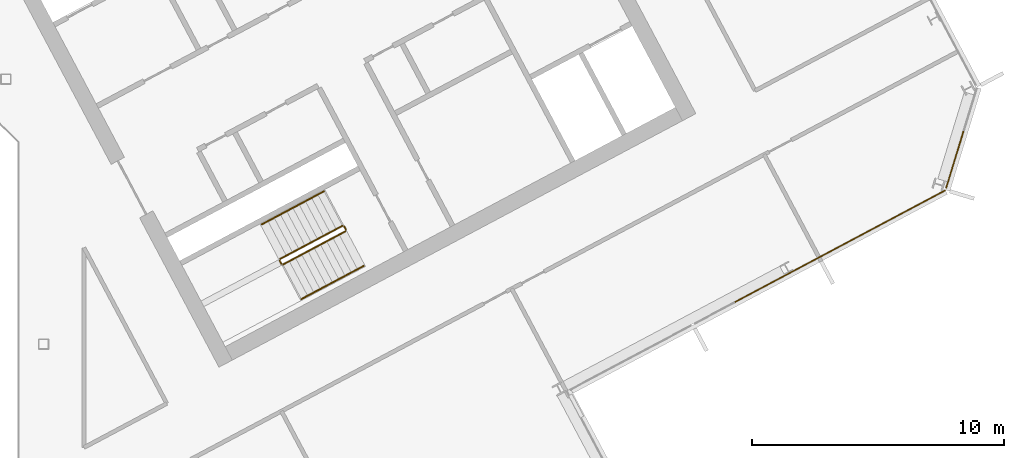
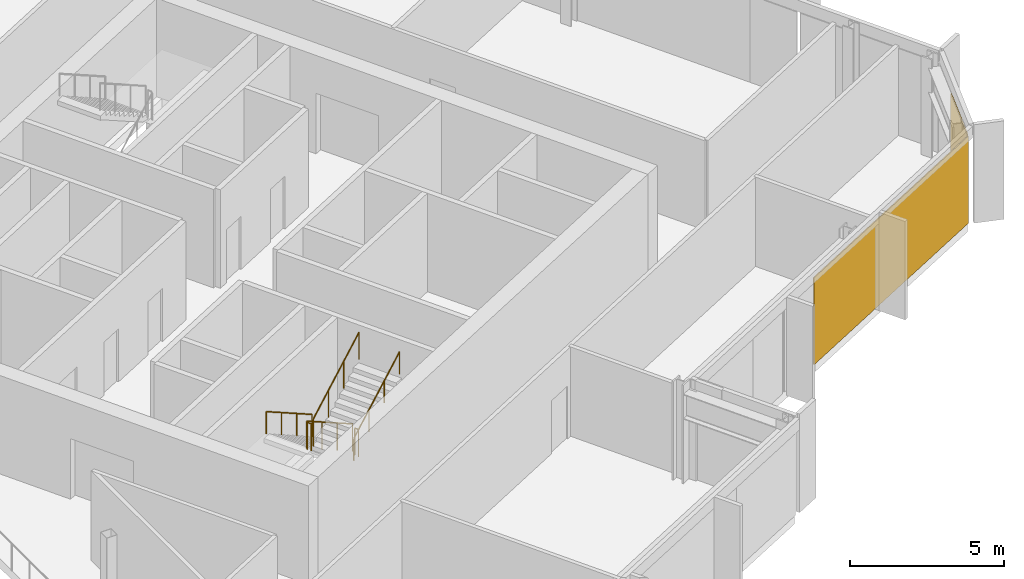
# One storey, part 24 of 26: 6 railings, 2 coverings, 2 elements without a shape of their own.
"""IFC4 building model written with IfcOpenShell, lengths in metres."""

from ifc_helpers import new_model, si_unit, direction, frame, origin, origin_2d, place, context, subcontext, project, spatial, polyline, rectangle, outline, extrude, material, layer, layer_set, type_object, element, aggregate, save


model = new_model("IFC4")

# Units and contexts
model_context = context("Model", 3, precision=1e-05, world=origin(), true_north=direction((0.0, 1.0)))
body_context = subcontext(model_context, "Body", "Model", "MODEL_VIEW")
ifc_project = project(units=[si_unit("LENGTHUNIT", "METRE"), si_unit("AREAUNIT", "SQUARE_METRE"), si_unit("VOLUMEUNIT", "CUBIC_METRE"), si_unit("PLANEANGLEUNIT", "RADIAN"), si_unit("MASSUNIT", "GRAM", prefix="KILO")], contexts=[model_context])

# Site, building, storey
site_placement = place(None, origin())
site = spatial("IfcSite", under=ifc_project, at=site_placement, CompositionType="ELEMENT")
building_placement = place(site_placement, origin())
building = spatial("IfcBuilding", under=site, at=building_placement, Name="Cormorant Relay Tower", CompositionType="ELEMENT")
storey_placement = place(building_placement, frame((0.0, 0.0, 244.199951171875)))
storey = spatial("IfcBuildingStorey", under=building, at=storey_placement, Name="L54", CompositionType="ELEMENT", Elevation=244.199951171875)

# Curtain wall, covering
ifc_material_1 = material(Name="Aluminium 6063-T6 anodised bronze", Category="aluminium")
ifc_layer_1 = layer(ifc_material_1, 0.199951171875)
ifc_layer_set_1 = layer_set([ifc_layer_1], Name="CW1 unitised bronze curtain wall with vertical fins")
curtain_wall_type = type_object("IfcCurtainWallType", Name="CW1 unitised bronze curtain wall with vertical fins", PredefinedType="NOTDEFINED", material=ifc_layer_set_1)
curtain_wall_1_placement = place(storey_placement, origin())
curtain_wall_1 = element("IfcCurtainWall", 1, at=curtain_wall_1_placement, inside=storey, type_object=curtain_wall_type, Name="CW1 curtain wall 4", PredefinedType="NOTDEFINED")
ifc_material_2 = material(Name="Pale bronze anodised aluminium insulated panel", Category="aluminium")
ifc_layer_2 = layer(ifc_material_2, 0.0400390625)
ifc_layer_set_2 = layer_set([ifc_layer_2], Name="CW1 pale bronze insulated panel 40")
covering_type = type_object("IfcCoveringType", Name="CW1 pale bronze insulated panel 40", PredefinedType="CLADDING", material=ifc_layer_set_2)
covering_1_placement = place(storey_placement, frame((43.54736328125, 3.878173828125, 0.0), z_axis=(0.0, 0.0, 1.0), x_axis=(0.882947592859, 0.469471562786, 0.0)))
covering_1 = element("IfcCovering", 2, at=covering_1_placement, type_object=covering_type, Name="CW1 panel S03", PredefinedType="CLADDING", context=body_context, shape_type="SweptSolid", body=[
    extrude(rectangle(XDim=9.458251953125, YDim=0.0400390625, at=origin_2d()), origin(), (0.0, 0.0, 1.0), 3.449951171875),
])
aggregate(curtain_wall_1, [covering_1])

curtain_wall_2_placement = place(storey_placement, origin())
curtain_wall_2 = element("IfcCurtainWall", 3, at=curtain_wall_2_placement, inside=storey, type_object=curtain_wall_type, Name="CW1 curtain wall 5", PredefinedType="NOTDEFINED")
covering_2_placement = place(storey_placement, frame((48.100830078125, 7.314208984375, 0.0), z_axis=(0.0, 0.0, 1.0), x_axis=(0.292371704723, 0.956304755963, 0.0)))
covering_2 = element("IfcCovering", 4, at=covering_2_placement, type_object=covering_type, Name="CW1 panel S00", PredefinedType="CLADDING", context=body_context, shape_type="SweptSolid", body=[
    extrude(rectangle(XDim=2.36767578125, YDim=0.0400390625, at=origin_2d()), origin(), (0.0, 0.0, 1.0), 3.449951171875),
])
aggregate(curtain_wall_2, [covering_2])

# Railings
ifc_material_3 = material(Name="Steel ASTM A572 Grade 50 (Fy 345 MPa)", Category="steel")
railing_type_1 = type_object("IfcRailingType", Name="Stair guard 1100", PredefinedType="GUARDRAIL", material=ifc_material_3)
railing_1_placement = place(storey_placement, frame((23.83837890625, 4.6904296875, 0.17724609375)))
element("IfcRailing", 5, at=railing_1_placement, inside=storey, type_object=railing_type_1, Name="L54 B1 stair guard 1", PredefinedType="GUARDRAIL", context=body_context, shape_type="SweptSolid", body=[
    extrude(outline(polyline([(0.022216796875, 0.00927734375), (0.00927734375, 0.022216796875), (-0.00927734375, 0.022216796875), (-0.022216796875, 0.00927734375), (-0.022216796875, -0.00927734375), (-0.00927734375, -0.022216796875), (0.00927734375, -0.022216796875), (0.022216796875, -0.00927734375), (0.022216796875, 0.00927734375)])), frame((0.0, 0.0, 1.076171875), z_axis=(-0.746033882577, -0.396627473466, 0.534901947407), x_axis=(0.469429322983, -0.882970050864, 0.0)), (0.0, 0.0, 1.0), 3.31396484375),
    extrude(outline(polyline([(0.019287109375, 0.008056640625), (0.008056640625, 0.019287109375), (-0.008056640625, 0.019287109375), (-0.019287109375, 0.008056640625), (-0.019287109375, -0.008056640625), (-0.008056640625, -0.019287109375), (0.008056640625, -0.019287109375), (0.019287109375, -0.008056640625), (0.019287109375, 0.008056640625)])), origin(), (0.0, 0.0, 1.0), 1.052001953125),
    extrude(outline(polyline([(0.019287109375, 0.008056640625), (0.008056640625, 0.019287109375), (-0.008056640625, 0.019287109375), (-0.019287109375, 0.008056640625), (-0.019287109375, -0.008056640625), (-0.008056640625, -0.019287109375), (0.008056640625, -0.019287109375), (0.019287109375, -0.008056640625), (0.019287109375, 0.008056640625)])), frame((-0.82421875, -0.438232421875, 0.5908203125)), (0.0, 0.0, 1.0), 1.052001953125),
    extrude(outline(polyline([(0.019287109375, 0.008056640625), (0.008056640625, 0.019287109375), (-0.008056640625, 0.019287109375), (-0.019287109375, 0.008056640625), (-0.019287109375, -0.008056640625), (-0.008056640625, -0.019287109375), (0.008056640625, -0.019287109375), (0.019287109375, -0.008056640625), (0.019287109375, 0.008056640625)])), frame((-1.648193359375, -0.876220703125, 1.181884765625)), (0.0, 0.0, 1.0), 1.052001953125),
    extrude(outline(polyline([(0.019287109375, 0.008056640625), (0.008056640625, 0.019287109375), (-0.008056640625, 0.019287109375), (-0.019287109375, 0.008056640625), (-0.019287109375, -0.008056640625), (-0.008056640625, -0.019287109375), (0.008056640625, -0.019287109375), (0.019287109375, -0.008056640625), (0.019287109375, 0.008056640625)])), frame((-2.472412109375, -1.314453125, 1.772705078125)), (0.0, 0.0, 1.0), 1.052001953125),
])
railing_2_placement = place(storey_placement, frame((21.345458984375, 3.308349609375, 1.949951171875)))
element("IfcRailing", 6, at=railing_2_placement, inside=storey, type_object=railing_type_1, Name="L54 B1 stair guard 2", PredefinedType="GUARDRAIL", context=body_context, shape_type="SweptSolid", body=[
    extrude(outline(polyline([(0.022216796875, 0.00927734375), (0.00927734375, 0.022216796875), (-0.00927734375, 0.022216796875), (-0.022216796875, 0.00927734375), (-0.022216796875, -0.00927734375), (-0.00927734375, -0.022216796875), (0.00927734375, -0.022216796875), (0.022216796875, -0.00927734375), (0.022216796875, 0.00927734375)])), frame((0.0, 0.0, 1.076171875), z_axis=(0.46856034887, -0.8834314911, 0.0), x_axis=(0.8834314911, 0.46856034887, 0.0)), (0.0, 0.0, 1.0), 0.150146484375),
    extrude(outline(polyline([(0.019287109375, 0.008056640625), (0.008056640625, 0.019287109375), (-0.008056640625, 0.019287109375), (-0.019287109375, 0.008056640625), (-0.019287109375, -0.008056640625), (-0.008056640625, -0.019287109375), (0.008056640625, -0.019287109375), (0.019287109375, -0.008056640625), (0.019287109375, 0.008056640625)])), origin(), (0.0, 0.0, 1.0), 1.052001953125),
    extrude(outline(polyline([(0.019287109375, 0.008056640625), (0.008056640625, 0.019287109375), (-0.008056640625, 0.019287109375), (-0.019287109375, 0.008056640625), (-0.019287109375, -0.008056640625), (-0.008056640625, -0.019287109375), (0.008056640625, -0.019287109375), (0.019287109375, -0.008056640625), (0.019287109375, 0.008056640625)])), frame((0.0703125, -0.132568359375, 0.0)), (0.0, 0.0, 1.0), 1.052001953125),
])
railing_3_placement = place(storey_placement, frame((21.4833984375, 3.1552734375, 2.12744140625)))
element("IfcRailing", 7, at=railing_3_placement, inside=storey, type_object=railing_type_1, Name="L54 B1 stair guard 3", PredefinedType="GUARDRAIL", context=body_context, shape_type="SweptSolid", body=[
    extrude(outline(polyline([(0.022216796875, 0.00927734375), (0.00927734375, 0.022216796875), (-0.00927734375, 0.022216796875), (-0.022216796875, 0.00927734375), (-0.022216796875, -0.00927734375), (-0.00927734375, -0.022216796875), (0.00927734375, -0.022216796875), (0.022216796875, -0.00927734375), (0.022216796875, 0.00927734375)])), frame((0.0, 0.0, 1.076171875), z_axis=(0.746001213114, 0.396649272309, 0.534931345884), x_axis=(-0.469465464807, 0.882950835185, 0.0)), (0.0, 0.0, 1.0), 3.31396484375),
    extrude(outline(polyline([(0.019287109375, 0.008056640625), (0.008056640625, 0.019287109375), (-0.008056640625, 0.019287109375), (-0.019287109375, 0.008056640625), (-0.019287109375, -0.008056640625), (-0.008056640625, -0.019287109375), (0.008056640625, -0.019287109375), (0.019287109375, -0.008056640625), (0.019287109375, 0.008056640625)])), origin(), (0.0, 0.0, 1.0), 1.052001953125),
    extrude(outline(polyline([(0.019287109375, 0.008056640625), (0.008056640625, 0.019287109375), (-0.008056640625, 0.019287109375), (-0.019287109375, 0.008056640625), (-0.019287109375, -0.008056640625), (-0.008056640625, -0.019287109375), (0.008056640625, -0.019287109375), (0.019287109375, -0.008056640625), (0.019287109375, 0.008056640625)])), frame((0.823974609375, 0.438232421875, 0.5908203125)), (0.0, 0.0, 1.0), 1.052001953125),
    extrude(outline(polyline([(0.019287109375, 0.008056640625), (0.008056640625, 0.019287109375), (-0.008056640625, 0.019287109375), (-0.019287109375, 0.008056640625), (-0.019287109375, -0.008056640625), (-0.008056640625, -0.019287109375), (0.008056640625, -0.019287109375), (0.019287109375, -0.008056640625), (0.019287109375, 0.008056640625)])), frame((1.648193359375, 0.876220703125, 1.181884765625)), (0.0, 0.0, 1.0), 1.052001953125),
    extrude(outline(polyline([(0.019287109375, 0.008056640625), (0.008056640625, 0.019287109375), (-0.008056640625, 0.019287109375), (-0.019287109375, 0.008056640625), (-0.019287109375, -0.008056640625), (-0.008056640625, -0.019287109375), (0.008056640625, -0.019287109375), (0.019287109375, -0.008056640625), (0.019287109375, 0.008056640625)])), frame((2.47216796875, 1.314453125, 1.772705078125)), (0.0, 0.0, 1.0), 1.052001953125),
])
railing_4_placement = place(storey_placement, frame((23.906005859375, 4.669677734375, 0.0)))
element("IfcRailing", 8, at=railing_4_placement, inside=storey, type_object=railing_type_1, Name="L54 B1 stair guard 4", PredefinedType="GUARDRAIL", context=body_context, shape_type="SweptSolid", body=[
    extrude(outline(polyline([(0.022216796875, 0.00927734375), (0.00927734375, 0.022216796875), (-0.00927734375, 0.022216796875), (-0.022216796875, 0.00927734375), (-0.022216796875, -0.00927734375), (-0.00927734375, -0.022216796875), (0.00927734375, -0.022216796875), (0.022216796875, -0.00927734375), (0.022216796875, 0.00927734375)])), frame((0.0, 0.0, 1.076171875), z_axis=(0.469234640946, -0.883073525669, 0.0), x_axis=(0.883073525669, 0.469234640946, 0.0)), (0.0, 0.0, 1.0), 0.14990234375),
    extrude(outline(polyline([(0.019287109375, 0.008056640625), (0.008056640625, 0.019287109375), (-0.008056640625, 0.019287109375), (-0.019287109375, 0.008056640625), (-0.019287109375, -0.008056640625), (-0.008056640625, -0.019287109375), (0.008056640625, -0.019287109375), (0.019287109375, -0.008056640625), (0.019287109375, 0.008056640625)])), origin(), (0.0, 0.0, 1.0), 1.052001953125),
    extrude(outline(polyline([(0.019287109375, 0.008056640625), (0.008056640625, 0.019287109375), (-0.008056640625, 0.019287109375), (-0.019287109375, 0.008056640625), (-0.019287109375, -0.008056640625), (-0.008056640625, -0.019287109375), (0.008056640625, -0.019287109375), (0.019287109375, -0.008056640625), (0.019287109375, 0.008056640625)])), frame((0.0703125, -0.13232421875, 0.0)), (0.0, 0.0, 1.0), 1.052001953125),
])
ifc_material_4 = material(Name="Steel ASTM A572 Grade 50 (Fy 345 MPa)", Category="steel")
railing_type_2 = type_object("IfcRailingType", Name="Stair handrail 900", PredefinedType="HANDRAIL", material=ifc_material_4)
railing_5_placement = place(storey_placement, frame((23.110595703125, 6.05908203125, 0.17724609375)))
element("IfcRailing", 9, at=railing_5_placement, inside=storey, type_object=railing_type_2, Name="L54 B1 stair handrail 1", PredefinedType="HANDRAIL", context=body_context, shape_type="SweptSolid", body=[
    extrude(outline(polyline([(0.022216796875, 0.00927734375), (0.00927734375, 0.022216796875), (-0.00927734375, 0.022216796875), (-0.022216796875, 0.00927734375), (-0.022216796875, -0.00927734375), (-0.00927734375, -0.022216796875), (0.00927734375, -0.022216796875), (0.022216796875, -0.00927734375), (0.022216796875, 0.00927734375)])), frame((0.0, 0.0, 0.8759765625), z_axis=(-0.745979412481, -0.396711350603, 0.534915713414), x_axis=(0.469533439143, -0.882914689835, 0.0)), (0.0, 0.0, 1.0), 3.31396484375),
    extrude(outline(polyline([(0.019287109375, 0.008056640625), (0.008056640625, 0.019287109375), (-0.008056640625, 0.019287109375), (-0.019287109375, 0.008056640625), (-0.019287109375, -0.008056640625), (-0.008056640625, -0.019287109375), (0.008056640625, -0.019287109375), (0.019287109375, -0.008056640625), (0.019287109375, 0.008056640625)])), origin(), (0.0, 0.0, 1.0), 0.851806640625),
    extrude(outline(polyline([(0.019287109375, 0.008056640625), (0.008056640625, 0.019287109375), (-0.008056640625, 0.019287109375), (-0.019287109375, 0.008056640625), (-0.019287109375, -0.008056640625), (-0.008056640625, -0.019287109375), (0.008056640625, -0.019287109375), (0.019287109375, -0.008056640625), (0.019287109375, 0.008056640625)])), frame((-0.823974609375, -0.438232421875, 0.5908203125)), (0.0, 0.0, 1.0), 0.851806640625),
    extrude(outline(polyline([(0.019287109375, 0.008056640625), (0.008056640625, 0.019287109375), (-0.008056640625, 0.019287109375), (-0.019287109375, 0.008056640625), (-0.019287109375, -0.008056640625), (-0.008056640625, -0.019287109375), (0.008056640625, -0.019287109375), (0.019287109375, -0.008056640625), (0.019287109375, 0.008056640625)])), frame((-1.648193359375, -0.87646484375, 1.181884765625)), (0.0, 0.0, 1.0), 0.851806640625),
    extrude(outline(polyline([(0.019287109375, 0.008056640625), (0.008056640625, 0.019287109375), (-0.008056640625, 0.019287109375), (-0.019287109375, 0.008056640625), (-0.019287109375, -0.008056640625), (-0.008056640625, -0.019287109375), (0.008056640625, -0.019287109375), (0.019287109375, -0.008056640625), (0.019287109375, 0.008056640625)])), frame((-2.47216796875, -1.314697265625, 1.772705078125)), (0.0, 0.0, 1.0), 0.851806640625),
])
railing_6_placement = place(storey_placement, frame((22.211181640625, 1.78662109375, 2.12744140625)))
element("IfcRailing", 10, at=railing_6_placement, inside=storey, type_object=railing_type_2, Name="L54 B1 stair handrail 2", PredefinedType="HANDRAIL", context=body_context, shape_type="SweptSolid", body=[
    extrude(outline(polyline([(0.022216796875, 0.00927734375), (0.00927734375, 0.022216796875), (-0.00927734375, 0.022216796875), (-0.022216796875, 0.00927734375), (-0.022216796875, -0.00927734375), (-0.00927734375, -0.022216796875), (0.00927734375, -0.022216796875), (0.022216796875, -0.00927734375), (0.022216796875, 0.00927734375)])), frame((0.0, 0.0, 0.8759765625), z_axis=(0.746001213114, 0.396649272309, 0.534931345884), x_axis=(-0.469465464807, 0.882950835185, 0.0)), (0.0, 0.0, 1.0), 3.31396484375),
    extrude(outline(polyline([(0.019287109375, 0.008056640625), (0.008056640625, 0.019287109375), (-0.008056640625, 0.019287109375), (-0.019287109375, 0.008056640625), (-0.019287109375, -0.008056640625), (-0.008056640625, -0.019287109375), (0.008056640625, -0.019287109375), (0.019287109375, -0.008056640625), (0.019287109375, 0.008056640625)])), origin(), (0.0, 0.0, 1.0), 0.851806640625),
    extrude(outline(polyline([(0.019287109375, 0.008056640625), (0.008056640625, 0.019287109375), (-0.008056640625, 0.019287109375), (-0.019287109375, 0.008056640625), (-0.019287109375, -0.008056640625), (-0.008056640625, -0.019287109375), (0.008056640625, -0.019287109375), (0.019287109375, -0.008056640625), (0.019287109375, 0.008056640625)])), frame((0.823974609375, 0.438232421875, 0.5908203125)), (0.0, 0.0, 1.0), 0.851806640625),
    extrude(outline(polyline([(0.019287109375, 0.008056640625), (0.008056640625, 0.019287109375), (-0.008056640625, 0.019287109375), (-0.019287109375, 0.008056640625), (-0.019287109375, -0.008056640625), (-0.008056640625, -0.019287109375), (0.008056640625, -0.019287109375), (0.019287109375, -0.008056640625), (0.019287109375, 0.008056640625)])), frame((1.648193359375, 0.876220703125, 1.181884765625)), (0.0, 0.0, 1.0), 0.851806640625),
    extrude(outline(polyline([(0.019287109375, 0.008056640625), (0.008056640625, 0.019287109375), (-0.008056640625, 0.019287109375), (-0.019287109375, 0.008056640625), (-0.019287109375, -0.008056640625), (-0.008056640625, -0.019287109375), (0.008056640625, -0.019287109375), (0.019287109375, -0.008056640625), (0.019287109375, 0.008056640625)])), frame((2.47216796875, 1.314453125, 1.772705078125)), (0.0, 0.0, 1.0), 0.851806640625),
])

save(model, "model.ifc")
